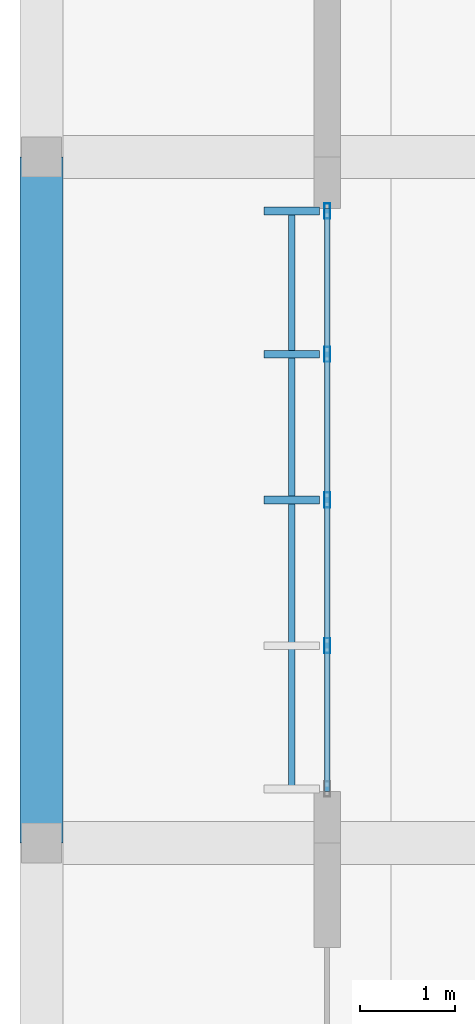
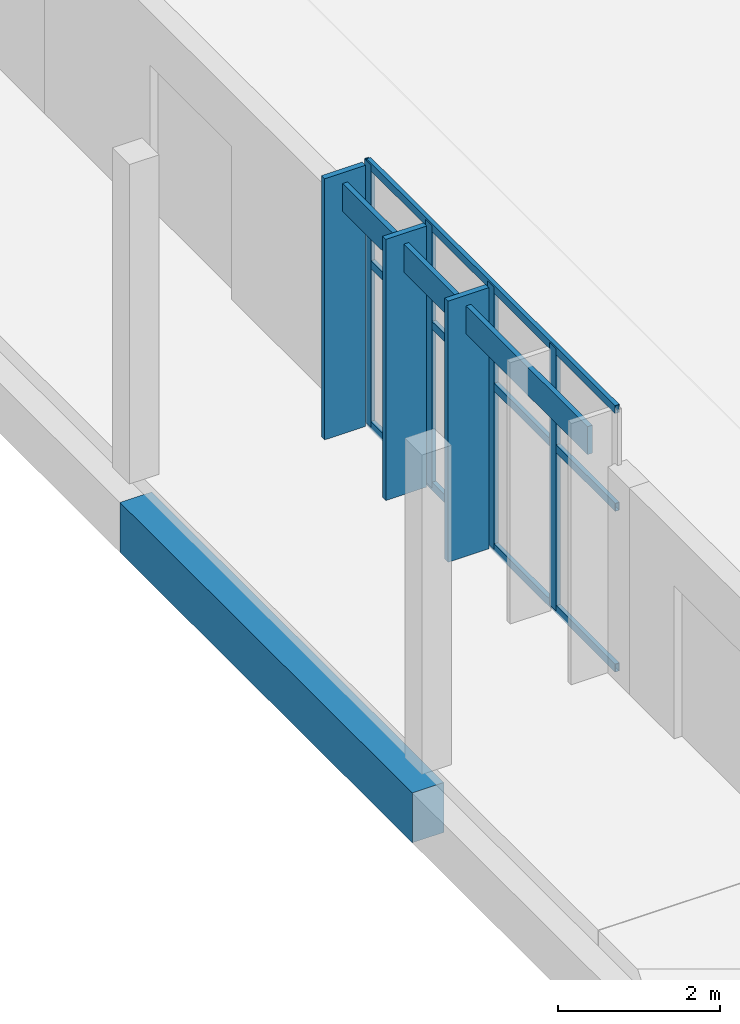
# One storey, part 17 of 151: 11 members, 1 beam, 1 element without a shape of its own.
"""IFC4 building model written with IfcOpenShell, lengths in metres."""

from ifc_helpers import new_model, si_unit, direction, frame, origin, origin_2d, place, context, subcontext, project, spatial, rectangle, hollow_rectangle, extrude, material, material_profile, profile_set, type_object, element, aggregate, save


model = new_model("IFC4")

# Units and contexts
model_context = context("Model", 3, precision=1e-05, world=origin(), true_north=direction((0.0, 1.0)))
body_context = subcontext(model_context, "Body", "Model", "MODEL_VIEW")
ifc_project = project(units=[si_unit("LENGTHUNIT", "METRE"), si_unit("AREAUNIT", "SQUARE_METRE"), si_unit("VOLUMEUNIT", "CUBIC_METRE"), si_unit("PLANEANGLEUNIT", "RADIAN"), si_unit("MASSUNIT", "GRAM", prefix="KILO")], contexts=[model_context])

# Site, building, storey
site_placement = place(None, origin())
site = spatial("IfcSite", under=ifc_project, at=site_placement, CompositionType="ELEMENT")
building_placement = place(site_placement, origin())
building = spatial("IfcBuilding", under=site, at=building_placement, Name="Chiffa Square Polytechnic", CompositionType="ELEMENT")
storey_placement = place(building_placement, origin())
storey = spatial("IfcBuildingStorey", under=building, at=storey_placement, Name="L00", CompositionType="ELEMENT", Elevation=0.0)

# Curtain wall, members
ifc_material_1 = material(Name="Aluminium EN AW-6060 T66 and glulam shading", Category="wood")
curtain_wall_type = type_object("IfcCurtainWallType", Name="CW-VERT-450X440", PredefinedType="USERDEFINED", material=ifc_material_1)
curtain_wall_placement = place(storey_placement, origin())
curtain_wall = element("IfcCurtainWall", 1, at=curtain_wall_placement, inside=storey, type_object=curtain_wall_type, Name="Curtain wall CW-V3-L00-152", ObjectType="CURTAIN WALL", PredefinedType="USERDEFINED")
ifc_material_2 = material(Name="Aluminium EN AW-6060 T66", Category="aluminium")
ifc_material_profile_1 = material_profile(ifc_material_2, hollow_rectangle(XDim=0.06005859375, YDim=0.159912109375, WallThickness=0.00390625, at=origin_2d()), Name="ALU 60x160x4")
ifc_profile_set_1 = profile_set([ifc_material_profile_1], Name="Aluminium EN AW-6060 T66")
member_type_1 = type_object("IfcMemberType", Name="CWM-ALU-65X150", PredefinedType="MULLION", material=ifc_profile_set_1)
member_1_placement = place(storey_placement, frame((3.0, 13.8349609375, 0.0), z_axis=(0.0, 0.0, 1.0), x_axis=(1.0, 0.0, 0.0)))
member_1 = element("IfcMember", 2, at=member_1_placement, type_object=member_type_1, Name="Curtain wall mullion CW-V3-L00-152-M00", PredefinedType="MULLION", context=body_context, shape_type="SweptSolid", body=[
    extrude(hollow_rectangle(XDim=0.06005859375, YDim=0.159912109375, WallThickness=0.00390625, at=origin_2d()), origin(), (0.0, 0.0, 1.0), 3.945068359375),
])
member_2_placement = place(storey_placement, frame((3.0, 12.330078125, 0.0), z_axis=(0.0, 0.0, 1.0), x_axis=(1.0, 0.0, 0.0)))
member_2 = element("IfcMember", 3, at=member_2_placement, type_object=member_type_1, Name="Curtain wall mullion CW-V3-L00-152-M01", PredefinedType="MULLION", context=body_context, shape_type="SweptSolid", body=[
    extrude(hollow_rectangle(XDim=0.06005859375, YDim=0.159912109375, WallThickness=0.00390625, at=origin_2d()), origin(), (0.0, 0.0, 1.0), 3.945068359375),
])
member_3_placement = place(storey_placement, frame((3.0, 10.800048828125, 0.0), z_axis=(0.0, 0.0, 1.0), x_axis=(1.0, 0.0, 0.0)))
member_3 = element("IfcMember", 4, at=member_3_placement, type_object=member_type_1, Name="Curtain wall mullion CW-V3-L00-152-M02", PredefinedType="MULLION", context=body_context, shape_type="SweptSolid", body=[
    extrude(hollow_rectangle(XDim=0.06005859375, YDim=0.159912109375, WallThickness=0.00390625, at=origin_2d()), origin(), (0.0, 0.0, 1.0), 3.945068359375),
])
member_4_placement = place(storey_placement, frame((3.0, 9.27001953125, 0.0), z_axis=(0.0, 0.0, 1.0), x_axis=(1.0, 0.0, 0.0)))
member_4 = element("IfcMember", 5, at=member_4_placement, type_object=member_type_1, Name="Curtain wall mullion CW-V3-L00-152-M03", PredefinedType="MULLION", context=body_context, shape_type="SweptSolid", body=[
    extrude(hollow_rectangle(XDim=0.06005859375, YDim=0.159912109375, WallThickness=0.00390625, at=origin_2d()), origin(), (0.0, 0.0, 1.0), 3.945068359375),
])
ifc_material_3 = material(Name="Glulam GL28h", Category="wood")
ifc_material_profile_2 = material_profile(ifc_material_3, rectangle(XDim=0.080078125, YDim=0.580078125, at=origin_2d()), Name="GL28h 80x580")
ifc_profile_set_2 = profile_set([ifc_material_profile_2], Name="Glulam GL28h")
member_type_2 = type_object("IfcMemberType", Name="CWM-GL-80X580", PredefinedType="MULLION", material=ifc_profile_set_2)
member_5_placement = place(storey_placement, frame((2.6279296875, 13.8349609375, 0.010009765625), z_axis=(0.0, 0.0, 1.0), x_axis=(0.0, -1.0, 0.0)))
member_5 = element("IfcMember", 6, at=member_5_placement, type_object=member_type_2, Name="Exterior glulam solar fin CW-V3-L00-152-FN00", PredefinedType="MULLION", context=body_context, shape_type="SweptSolid", body=[
    extrude(rectangle(XDim=0.080078125, YDim=0.580078125, at=origin_2d()), origin(), (0.0, 0.0, 1.0), 3.925048828125),
])
member_6_placement = place(storey_placement, frame((2.6279296875, 12.330078125, 0.010009765625), z_axis=(0.0, 0.0, 1.0), x_axis=(0.0, -1.0, 0.0)))
member_6 = element("IfcMember", 7, at=member_6_placement, type_object=member_type_2, Name="Exterior glulam solar fin CW-V3-L00-152-FN01", PredefinedType="MULLION", context=body_context, shape_type="SweptSolid", body=[
    extrude(rectangle(XDim=0.080078125, YDim=0.580078125, at=origin_2d()), origin(), (0.0, 0.0, 1.0), 3.925048828125),
])
member_7_placement = place(storey_placement, frame((2.6279296875, 10.800048828125, 0.010009765625), z_axis=(0.0, 0.0, 1.0), x_axis=(0.0, -1.0, 0.0)))
member_7 = element("IfcMember", 8, at=member_7_placement, type_object=member_type_2, Name="Exterior glulam solar fin CW-V3-L00-152-FN02", PredefinedType="MULLION", context=body_context, shape_type="SweptSolid", body=[
    extrude(rectangle(XDim=0.080078125, YDim=0.580078125, at=origin_2d()), origin(), (0.0, 0.0, 1.0), 3.925048828125),
])
ifc_material_profile_3 = material_profile(ifc_material_2, hollow_rectangle(XDim=0.06005859375, YDim=0.1201171875, WallThickness=0.00390625, at=origin_2d()), Name="ALU 60x120x4")
ifc_profile_set_3 = profile_set([ifc_material_profile_3], Name="Aluminium EN AW-6060 T66")
member_type_3 = type_object("IfcMemberType", Name="CWT-ALU-65X120", PredefinedType="USERDEFINED", material=ifc_profile_set_3)
member_8_placement = place(storey_placement, frame((3.0, 13.862060546875, 0.030029296875), z_axis=(0.0, -1.0, 0.0), x_axis=(1.0, 0.0, 0.0)))
member_8 = element("IfcMember", 9, at=member_8_placement, type_object=member_type_3, Name="Curtain wall transom CW-V3-L00-152-T01", ObjectType="TRANSOM", PredefinedType="USERDEFINED", context=body_context, shape_type="SweptSolid", body=[
    extrude(hollow_rectangle(XDim=0.06005859375, YDim=0.1201171875, WallThickness=0.00390625, at=origin_2d()), origin(), (0.0, 0.0, 1.0), 6.1240234375),
])
member_9_placement = place(storey_placement, frame((3.0, 13.862060546875, 2.446044921875), z_axis=(0.0, -1.0, 0.0), x_axis=(1.0, 0.0, 0.0)))
member_9 = element("IfcMember", 10, at=member_9_placement, type_object=member_type_3, Name="Curtain wall transom CW-V3-L00-152-T02", ObjectType="TRANSOM", PredefinedType="USERDEFINED", context=body_context, shape_type="SweptSolid", body=[
    extrude(hollow_rectangle(XDim=0.06005859375, YDim=0.1201171875, WallThickness=0.00390625, at=origin_2d()), origin(), (0.0, 0.0, 1.0), 6.1240234375),
])
member_10_placement = place(storey_placement, frame((3.0, 13.862060546875, 3.9150390625), z_axis=(0.0, -1.0, 0.0), x_axis=(1.0, 0.0, 0.0)))
member_10 = element("IfcMember", 11, at=member_10_placement, type_object=member_type_3, Name="Curtain wall transom CW-V3-L00-152-T03", ObjectType="TRANSOM", PredefinedType="USERDEFINED", context=body_context, shape_type="SweptSolid", body=[
    extrude(hollow_rectangle(XDim=0.06005859375, YDim=0.1201171875, WallThickness=0.00390625, at=origin_2d()), origin(), (0.0, 0.0, 1.0), 6.1240234375),
])
ifc_material_profile_4 = material_profile(ifc_material_3, rectangle(XDim=0.070068359375, YDim=0.419921875, at=origin_2d()), Name="GL28h 70x420")
ifc_profile_set_4 = profile_set([ifc_material_profile_4], Name="Glulam GL28h")
member_type_4 = type_object("IfcMemberType", Name="CWT-GL-70X420", PredefinedType="USERDEFINED", material=ifc_profile_set_4)
member_11_placement = place(storey_placement, frame((2.6279296875, 13.8349609375, 3.56494140625), z_axis=(0.0, -1.0, 0.0), x_axis=(1.0, 0.0, 0.0)))
member_11 = element("IfcMember", 12, at=member_11_placement, type_object=member_type_4, Name="Exterior glulam brise-soleil CW-V3-L00-152-BS01", ObjectType="TRANSOM", PredefinedType="USERDEFINED", context=body_context, shape_type="SweptSolid", body=[
    extrude(rectangle(XDim=0.070068359375, YDim=0.419921875, at=origin_2d()), origin(), (0.0, 0.0, 1.0), 6.070068359375),
])
aggregate(curtain_wall, [member_1, member_5, member_2, member_6, member_3, member_7, member_4, member_8, member_9, member_10, member_11])

# Beam
ifc_material_4 = material(Name="Concrete C35/45", Category="concrete")
ifc_material_profile_5 = material_profile(ifc_material_4, rectangle(XDim=0.449951171875, YDim=0.75, at=origin_2d()), Name="RC 450x750")
ifc_profile_set_5 = profile_set([ifc_material_profile_5], Name="Concrete C35/45")
beam_type = type_object("IfcBeamType", Name="GB-RC-450X750", PredefinedType="BEAM", material=ifc_profile_set_5)
beam_placement = place(storey_placement, frame((0.0, 7.199951171875, -0.77490234375), z_axis=(0.0, 1.0, 0.0), x_axis=(-1.0, 0.0, 0.0)))
element("IfcBeam", 13, at=beam_placement, inside=storey, type_object=beam_type, Name="Ground tie beam GB-V3-Y-073", PredefinedType="BEAM", context=body_context, shape_type="SweptSolid", body=[
    extrude(rectangle(XDim=0.449951171875, YDim=0.75, at=origin_2d()), origin(), (0.0, 0.0, 1.0), 7.199951171875),
])

save(model, "model.ifc")
